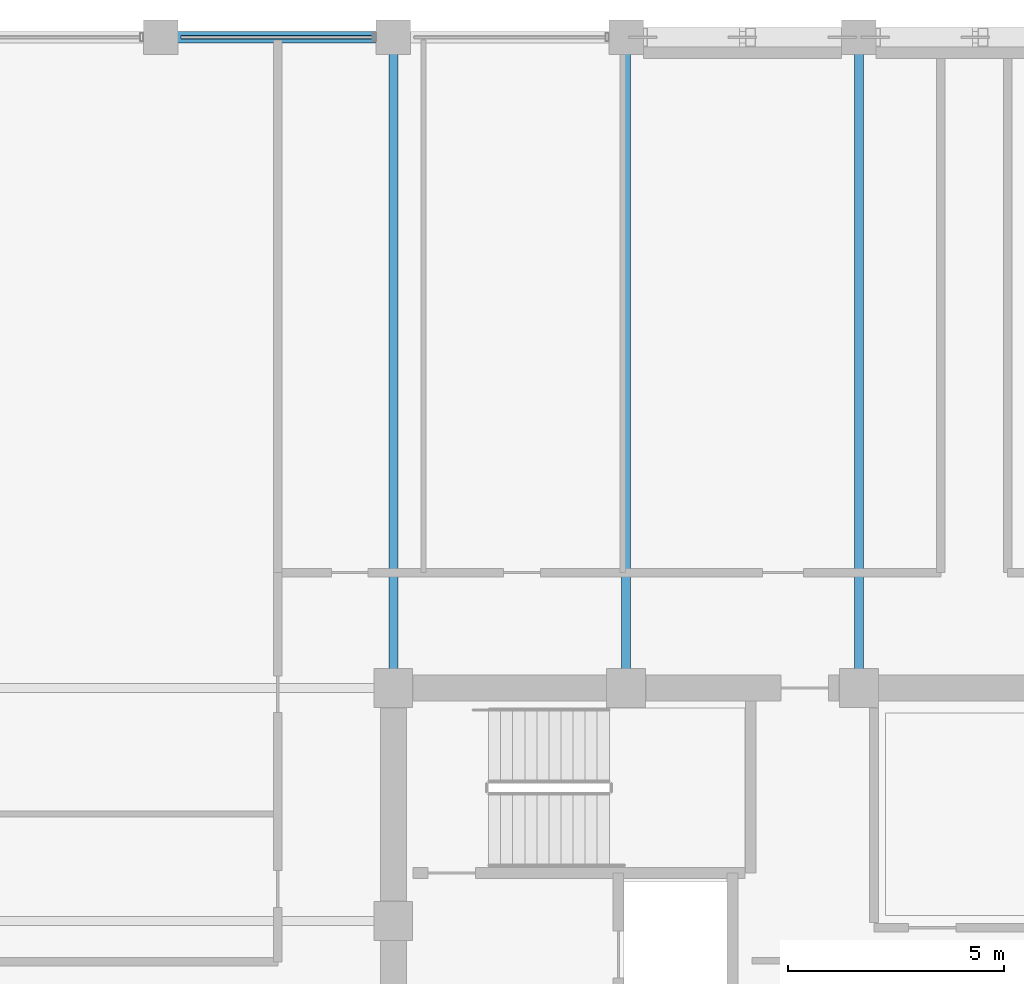
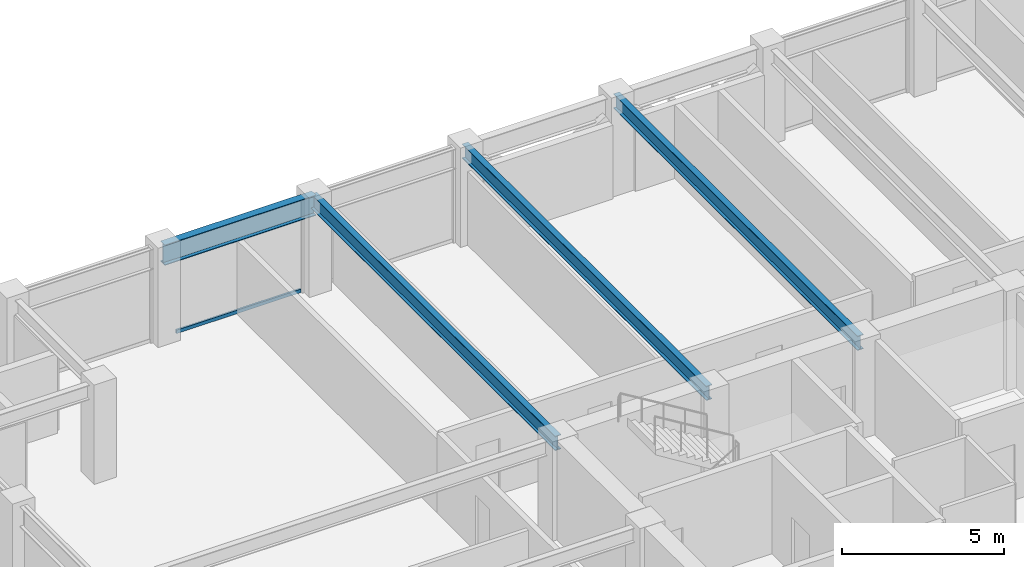
# One storey, part 19 of 32: 4 beams, 1 member, 1 element without a shape of its own.
"""IFC4 building model written with IfcOpenShell, lengths in metres."""

from ifc_helpers import new_model, si_unit, direction, frame, origin, origin_2d, place, context, subcontext, project, spatial, hollow_rectangle, i_section, extrude, material, layer, layer_set, material_profile, profile_set, type_object, element, aggregate, save


model = new_model("IFC4")

# Units and contexts
model_context = context("Model", 3, precision=1e-05, world=origin(), true_north=direction((0.0, 1.0)))
body_context = subcontext(model_context, "Body", "Model", "MODEL_VIEW")
ifc_project = project(units=[si_unit("LENGTHUNIT", "METRE"), si_unit("AREAUNIT", "SQUARE_METRE"), si_unit("VOLUMEUNIT", "CUBIC_METRE"), si_unit("PLANEANGLEUNIT", "RADIAN"), si_unit("MASSUNIT", "GRAM", prefix="KILO")], contexts=[model_context])

# Site, building, storey
site_placement = place(None, origin())
site = spatial("IfcSite", under=ifc_project, at=site_placement, CompositionType="ELEMENT")
building_placement = place(site_placement, origin())
building = spatial("IfcBuilding", under=site, at=building_placement, Name="Surkhivell Harbour Commons", CompositionType="ELEMENT")
storey_placement = place(building_placement, frame((0.0, 0.0, 234.75)))
storey = spatial("IfcBuildingStorey", under=building, at=storey_placement, Name="L61", CompositionType="ELEMENT", Elevation=234.75)

# Beams
ifc_material_1 = material(Name="Steel S355", Category="steel")
ifc_material_profile_1 = material_profile(ifc_material_1, i_section(OverallWidth=0.2119140625, OverallDepth=0.5439453125, WebThickness=0.0126953125, FlangeThickness=0.021240234375, at=origin_2d()), Name="UB533x210x122")
ifc_profile_set_1 = profile_set([ifc_material_profile_1], Name="Steel S355")
beam_type_1 = type_object("IfcBeamType", Name="BM-GRD-533A", PredefinedType="BEAM", material=ifc_profile_set_1)
for number, where, z_axis, x_axis, name in (
    (1, (-10.800048828125, 10.800048828125, 3.298095703125), (0.0, 1.0, 0.0), (-1.0, 0.0, 0.0), "L61 Floor Girder (-10.8,10.8)"),
    (2, (-5.39990234375, 10.800048828125, 3.298095703125), (0.0, 1.0, 0.0), (-1.0, 0.0, 0.0), "L61 Floor Girder (-5.4,10.8)"),
    (3, (0.0, 10.800048828125, 3.298095703125), (0.0, 1.0, 0.0), (-1.0, 0.0, 0.0), "L61 Floor Girder (0.0,10.8)"),
):
    element("IfcBeam", number, at=place(storey_placement, frame(where, z_axis=z_axis, x_axis=x_axis)), inside=storey, type_object=beam_type_1, Name=name, PredefinedType="BEAM", context=body_context, shape_type="SweptSolid", body=[
        extrude(i_section(OverallWidth=0.2119140625, OverallDepth=0.5439453125, WebThickness=0.0126953125, FlangeThickness=0.021240234375, at=origin_2d()), origin(), (0.0, 0.0, 1.0), 15.099853515625),
    ])
ifc_material_profile_2 = material_profile(ifc_material_1, i_section(OverallWidth=0.26806640625, OverallDepth=0.77001953125, WebThickness=0.015625, FlangeThickness=0.025390625, at=origin_2d()), Name="UB762x267x197")
ifc_profile_set_2 = profile_set([ifc_material_profile_2], Name="Steel S355")
beam_type_2 = type_object("IfcBeamType", Name="BM-SPN-762", PredefinedType="SPANDREL", material=ifc_profile_set_2)
beam_placement = place(storey_placement, frame((-16.199951171875, 25.89990234375, 3.18505859375), z_axis=(1.0, 0.0, 0.0), x_axis=(0.0, 1.0, 0.0)))
element("IfcBeam", 4, at=beam_placement, inside=storey, type_object=beam_type_2, Name="L61 Tube Spandrel (-16.2,25.9)", PredefinedType="SPANDREL", context=body_context, shape_type="SweptSolid", body=[
    extrude(i_section(OverallWidth=0.26806640625, OverallDepth=0.77001953125, WebThickness=0.015625, FlangeThickness=0.025390625, at=origin_2d()), origin(), (0.0, 0.0, 1.0), 5.39990234375),
])

# Curtain wall, member
ifc_material_2 = material(Name="Anodised pale-metal aluminium and insulated glazing", Category="aluminium")
ifc_layer = layer(ifc_material_2, 0.18994140625)
ifc_layer_set = layer_set([ifc_layer], Name="Anodised pale-metal aluminium and insulated glazing")
curtain_wall_type = type_object("IfcCurtainWallType", Name="CW-SYS-Z3", PredefinedType="NOTDEFINED", material=ifc_layer_set)
curtain_wall_placement = place(storey_placement, origin())
curtain_wall = element("IfcCurtainWall", 5, at=curtain_wall_placement, inside=storey, type_object=curtain_wall_type, Name="L61 Curtain Wall CW-L61-E07S2", PredefinedType="NOTDEFINED")
ifc_material_3 = material(Name="Champagne anodised aluminium alloy 6063-T6", Category="aluminium")
ifc_material_profile_3 = material_profile(ifc_material_3, hollow_rectangle(XDim=0.070068359375, YDim=0.1298828125, WallThickness=0.00341796875, at=origin_2d()), Name="ALU-TRAN-70x130")
ifc_profile_set_3 = profile_set([ifc_material_profile_3], Name="Champagne anodised aluminium alloy 6063-T6")
member_type = type_object("IfcMemberType", Name="CWT-130", PredefinedType="USERDEFINED", material=ifc_profile_set_3)
member_placement = place(storey_placement, frame((-11.277099609375, 25.89990234375, 0.06494140625), z_axis=(-1.0, 0.0, 0.0), x_axis=(0.0, -1.0, 0.0)))
member = element("IfcMember", 6, at=member_placement, type_object=member_type, Name="CW-Z3 transom 2.1", ObjectType="TRANSOM", PredefinedType="USERDEFINED", context=body_context, shape_type="SweptSolid", body=[
    extrude(hollow_rectangle(XDim=0.070068359375, YDim=0.1298828125, WallThickness=0.00341796875, at=origin_2d()), origin(), (0.0, 0.0, 1.0), 4.44580078125),
])
aggregate(curtain_wall, [member])

save(model, "model.ifc")
